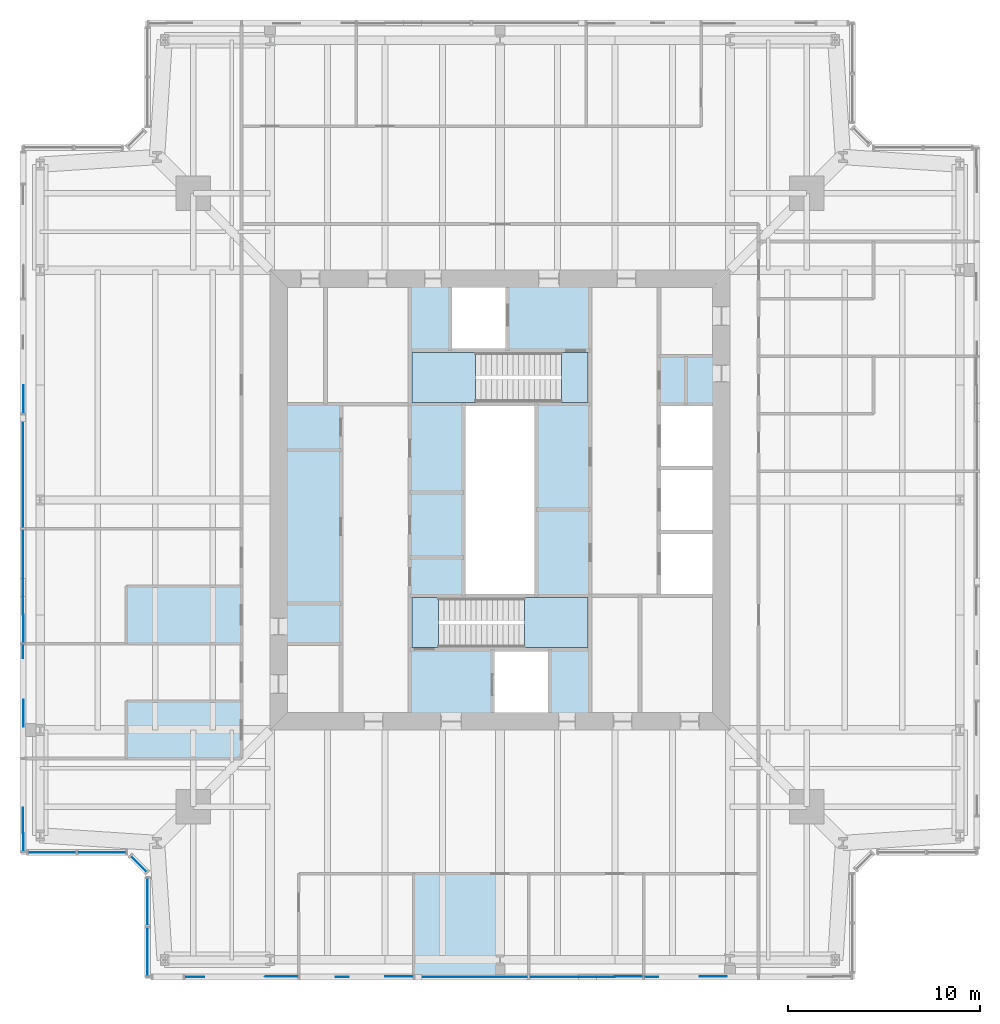
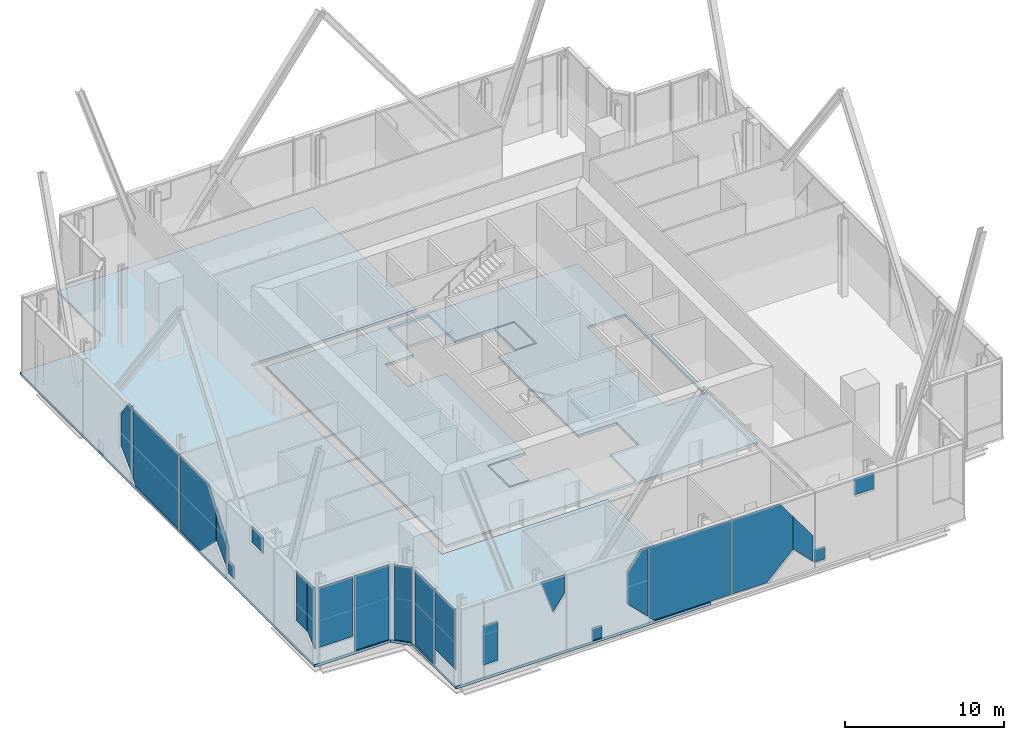
# One storey, part 7 of 20: 22 plates, 6 slabs, 7 elements without a shape of their own.
"""IFC4 building model written with IfcOpenShell, lengths in metres."""

from ifc_helpers import new_model, si_unit, direction, frame, origin, origin_2d, place, context, subcontext, project, spatial, polyline, rectangle, outline, extrude, material, layer, layer_set, type_object, element, aggregate, save


model = new_model("IFC4")

# Units and contexts
model_context = context("Model", 3, precision=1e-05, world=origin(), true_north=direction((0.0, 1.0)))
body_context = subcontext(model_context, "Body", "Model", "MODEL_VIEW")
ifc_project = project(units=[si_unit("LENGTHUNIT", "METRE"), si_unit("AREAUNIT", "SQUARE_METRE"), si_unit("VOLUMEUNIT", "CUBIC_METRE"), si_unit("PLANEANGLEUNIT", "RADIAN"), si_unit("MASSUNIT", "GRAM", prefix="KILO")], contexts=[model_context])

# Site, building, storey
site_placement = place(None, origin())
site = spatial("IfcSite", under=ifc_project, at=site_placement, CompositionType="ELEMENT")
building_placement = place(site_placement, origin())
building = spatial("IfcBuilding", under=site, at=building_placement, Name="Fenwick Lantern Interchange", CompositionType="ELEMENT")
storey_placement = place(building_placement, frame((0.0, 0.0, 239.800048828125)))
storey = spatial("IfcBuildingStorey", under=building, at=storey_placement, Name="L56", CompositionType="ELEMENT", Elevation=239.800048828125)

# Slabs
ifc_material_1 = material(Name="Concrete f'c 35 MPa", Category="concrete")
ifc_layer_1 = layer(ifc_material_1, 0.199951171875)
ifc_layer_set_1 = layer_set([ifc_layer_1], Name="CORE FLOOR SLAB 200")
slab_type_1 = type_object("IfcSlabType", Name="CORE FLOOR SLAB 200", PredefinedType="FLOOR", material=ifc_layer_set_1)
slab_1_placement = place(storey_placement, frame((0.0, 0.0, -0.199951171875)))
element("IfcSlab", 1, at=slab_1_placement, inside=storey, type_object=slab_type_1, Name="L56/SLAB/CORE", PredefinedType="FLOOR", context=body_context, shape_type="SweptSolid", body=[
    extrude(outline(polyline([(13.699951171875, 36.300048828125), (36.300048828125, 36.300048828125), (36.300048828125, 13.699951171875), (13.699951171875, 13.699951171875), (13.699951171875, 36.300048828125)]), holes=[polyline([(24.60009765625, 13.89990234375), (27.60009765625, 13.89990234375), (27.60009765625, 17.199951171875), (29.699951171875, 17.199951171875), (29.699951171875, 20.0), (26.89990234375, 20.0), (26.89990234375, 30.0), (29.699951171875, 30.0), (29.699951171875, 32.800048828125), (25.39990234375, 32.800048828125), (25.39990234375, 36.10009765625), (22.39990234375, 36.10009765625), (22.39990234375, 32.800048828125), (20.300048828125, 32.800048828125), (20.300048828125, 30.0), (23.10009765625, 30.0), (23.10009765625, 20.0), (20.300048828125, 20.0), (20.300048828125, 17.199951171875), (24.60009765625, 17.199951171875), (24.60009765625, 13.89990234375)]), polyline([(33.300048828125, 20.0), (36.10009765625, 20.0), (36.10009765625, 23.333251953125), (36.10009765625, 26.666748046875), (36.10009765625, 30.0), (33.300048828125, 30.0), (33.300048828125, 26.666748046875), (33.300048828125, 23.333251953125), (33.300048828125, 20.0)])]), origin(), (0.0, 0.0, 1.0), 0.199951171875),
])
ifc_material_2 = material(Name="Concrete f'c 35 MPa", Category="concrete")
ifc_layer_2 = layer(ifc_material_2, 0.199951171875)
ifc_layer_set_2 = layer_set([ifc_layer_2], Name="Concrete f'c 35 MPa")
slab_type_2 = type_object("IfcSlabType", Name="FLOOR SLAB 200", PredefinedType="FLOOR", material=ifc_layer_set_2)
slab_2_placement = place(storey_placement, frame((0.0, 0.0, -0.199951171875)))
element("IfcSlab", 2, at=slab_2_placement, inside=storey, type_object=slab_type_2, Name="L56/SLAB/FW", PredefinedType="FLOOR", context=body_context, shape_type="SweptSolid", body=[
    extrude(outline(polyline([(6.5, 0.0), (6.5, 5.5), (5.5, 6.5), (0.0, 6.5), (0.0, 43.5), (5.5, 43.5), (6.5, 44.5), (6.5, 50.0), (25.0, 50.0), (25.0, 37.0), (13.0, 37.0), (13.0, 13.0), (25.0, 13.0), (25.0, 0.0), (6.5, 0.0)])), origin(), (0.0, 0.0, 1.0), 0.199951171875),
])

# Curtain wall, plates
ifc_material_3 = material(Name="Aluminium curtain wall frame", Category="aluminium")
curtain_wall_type = type_object("IfcCurtainWallType", Name="SKY LOBBY GLAZING", PredefinedType="USERDEFINED", material=ifc_material_3)
curtain_wall_1_placement = place(storey_placement, origin())
curtain_wall_1 = element("IfcCurtainWall", 3, at=curtain_wall_1_placement, inside=storey, type_object=curtain_wall_type, Name="Sky lobby glazing 01", ObjectType="SKY LOBBY GLAZING", PredefinedType="USERDEFINED")
ifc_material_4 = material(Name="Vision glass, clear laminated double glazed", Category="glass")
ifc_layer_3 = layer(ifc_material_4, 0.035888671875)
ifc_layer_set_3 = layer_set([ifc_layer_3], Name="SKY LOBBY GLAZING PANEL 36")
plate_type = type_object("IfcPlateType", Name="SKY LOBBY GLAZING PANEL 36", PredefinedType="CURTAIN_PANEL", material=ifc_layer_set_3)
plate_1_placement = place(storey_placement, frame((6.60009765625, 0.10009765625, 0.879150390625), z_axis=(0.0, 0.0, 1.0), x_axis=(1.0, 0.0, 0.0)))
plate_1 = element("IfcPlate", 4, at=plate_1_placement, type_object=plate_type, Name="L56/CW/01/P01a", PredefinedType="CURTAIN_PANEL", context=body_context, shape_type="SweptSolid", body=[
    extrude(outline(polyline([(1.93994140625, 0.0), (2.955078125, 0.0), (2.955078125, 3.000732421875), (1.93994140625, 3.000732421875), (1.93994140625, 0.0)])), frame((0.0, 0.01806640625, 0.0), z_axis=(0.0, -1.0, 0.0), x_axis=(1.0, 0.0, 0.0)), (0.0, 0.0, 1.0), 0.035888671875),
])
plate_2_placement = place(storey_placement, frame((6.60009765625, 0.10009765625, 3.152587890625), z_axis=(0.0, 0.0, 1.0), x_axis=(1.0, 0.0, 0.0)))
plate_2 = element("IfcPlate", 5, at=plate_2_placement, type_object=plate_type, Name="L56/CW/01/P01b", PredefinedType="CURTAIN_PANEL", context=body_context, shape_type="SweptSolid", body=[
    extrude(outline(polyline([(7.0, 0.0), (7.860107421875, 1.16748046875), (7.860107421875, 2.577392578125), (6.1298828125, 2.577392578125), (7.0, 0.0)])), frame((0.0, 0.05615234375, 0.0), z_axis=(0.0, -1.0, 0.0), x_axis=(1.0, 0.0, 0.0)), (0.0, 0.0, 1.0), 0.035888671875),
])
plate_3_placement = place(storey_placement, frame((6.60009765625, 0.10009765625, 0.0), z_axis=(0.0, 0.0, 1.0), x_axis=(1.0, 0.0, 0.0)))
plate_3 = element("IfcPlate", 6, at=plate_3_placement, type_object=plate_type, Name="L56/CW/01/P02a", PredefinedType="CURTAIN_PANEL", context=body_context, shape_type="SweptSolid", body=[
    extrude(outline(polyline([(9.8291015625, 0.0), (10.50390625, 0.0), (10.50390625, 0.923095703125), (9.8291015625, 0.923095703125), (9.8291015625, 0.0)])), frame((0.0, 0.01806640625, 0.0), z_axis=(0.0, -1.0, 0.0), x_axis=(1.0, 0.0, 0.0)), (0.0, 0.0, 1.0), 0.035888671875),
])
plate_4_placement = place(storey_placement, frame((6.60009765625, 0.10009765625, 0.435546875), z_axis=(0.0, 0.0, 1.0), x_axis=(1.0, 0.0, 0.0)))
plate_4 = element("IfcPlate", 7, at=plate_4_placement, type_object=plate_type, Name="L56/CW/01/P02b", PredefinedType="CURTAIN_PANEL", context=body_context, shape_type="SweptSolid", body=[
    extrude(outline(polyline([(13.860107421875, 0.0), (13.860107421875, 5.29443359375), (13.369873046875, 5.29443359375), (12.39990234375, 3.977783203125), (12.39990234375, 1.4599609375), (13.860107421875, 0.0)])), frame((0.0, 0.05615234375, 0.0), z_axis=(0.0, -1.0, 0.0), x_axis=(1.0, 0.0, 0.0)), (0.0, 0.0, 1.0), 0.035888671875),
])
plate_5_placement = place(storey_placement, frame((6.60009765625, 0.10009765625, 0.0), z_axis=(0.0, 0.0, 1.0), x_axis=(1.0, 0.0, 0.0)))
plate_5 = element("IfcPlate", 8, at=plate_5_placement, type_object=plate_type, Name="L56/CW/01/P03a", PredefinedType="CURTAIN_PANEL", context=body_context, shape_type="SweptSolid", body=[
    extrude(outline(polyline([(14.295654296875, 0.0), (19.860107421875, 0.0), (19.860107421875, 5.72998046875), (13.93994140625, 5.72998046875), (13.93994140625, 0.35546875), (14.295654296875, 0.0)])), frame((0.0, 0.01806640625, 0.0), z_axis=(0.0, -1.0, 0.0), x_axis=(1.0, 0.0, 0.0)), (0.0, 0.0, 1.0), 0.035888671875),
])
plate_6_placement = place(storey_placement, frame((6.60009765625, 0.10009765625, 0.0), z_axis=(0.0, 0.0, 1.0), x_axis=(1.0, 0.0, 0.0)))
plate_6 = element("IfcPlate", 9, at=plate_6_placement, type_object=plate_type, Name="L56/CW/01/P04a", PredefinedType="CURTAIN_PANEL", context=body_context, shape_type="SweptSolid", body=[
    extrude(outline(polyline([(19.93994140625, 0.0), (22.50439453125, 0.0), (24.39990234375, 1.8955078125), (24.39990234375, 4.413330078125), (23.43017578125, 5.72998046875), (19.93994140625, 5.72998046875), (19.93994140625, 0.0)])), frame((0.0, 0.01806640625, 0.0), z_axis=(0.0, -1.0, 0.0), x_axis=(1.0, 0.0, 0.0)), (0.0, 0.0, 1.0), 0.035888671875),
])
plate_7_placement = place(storey_placement, frame((6.60009765625, 0.10009765625, 0.435546875), z_axis=(0.0, 0.0, 1.0), x_axis=(1.0, 0.0, 0.0)))
plate_7 = element("IfcPlate", 10, at=plate_7_placement, type_object=plate_type, Name="L56/CW/01/P04b", PredefinedType="CURTAIN_PANEL", context=body_context, shape_type="SweptSolid", body=[
    extrude(outline(polyline([(25.860107421875, 0.0), (25.860107421875, 1.995849609375), (24.39990234375, 3.977783203125), (24.39990234375, 1.4599609375), (25.860107421875, 0.0)])), frame((0.0, 0.05615234375, 0.0), z_axis=(0.0, -1.0, 0.0), x_axis=(1.0, 0.0, 0.0)), (0.0, 0.0, 1.0), 0.035888671875),
])
plate_8_placement = place(storey_placement, frame((6.60009765625, 0.10009765625, 0.35546875), z_axis=(0.0, 0.0, 1.0), x_axis=(1.0, 0.0, 0.0)))
plate_8 = element("IfcPlate", 11, at=plate_8_placement, type_object=plate_type, Name="L56/CW/01/P05a", PredefinedType="CURTAIN_PANEL", context=body_context, shape_type="SweptSolid", body=[
    extrude(outline(polyline([(25.93994140625, 0.0), (26.6650390625, 0.0), (26.6650390625, 0.98291015625), (25.93994140625, 0.98291015625), (25.93994140625, 0.0)])), frame((0.0, 0.01806640625, 0.0), z_axis=(0.0, -1.0, 0.0), x_axis=(1.0, 0.0, 0.0)), (0.0, 0.0, 1.0), 0.035888671875),
])
plate_9_placement = place(storey_placement, frame((6.60009765625, 0.10009765625, 4.460693359375), z_axis=(0.0, 0.0, 1.0), x_axis=(1.0, 0.0, 0.0)))
plate_9 = element("IfcPlate", 12, at=plate_9_placement, type_object=plate_type, Name="L56/CW/01/P05b", PredefinedType="CURTAIN_PANEL", context=body_context, shape_type="SweptSolid", body=[
    extrude(outline(polyline([(28.83642578125, 0.0), (30.241455078125, 0.0), (30.241455078125, 1.269287109375), (28.83642578125, 1.269287109375), (28.83642578125, 0.0)])), frame((0.0, 0.05615234375, 0.0), z_axis=(0.0, -1.0, 0.0), x_axis=(1.0, 0.0, 0.0)), (0.0, 0.0, 1.0), 0.035888671875),
])
aggregate(curtain_wall_1, [plate_1, plate_2, plate_3, plate_4, plate_5, plate_6, plate_7, plate_8, plate_9])

curtain_wall_2_placement = place(storey_placement, origin())
curtain_wall_2 = element("IfcCurtainWall", 13, at=curtain_wall_2_placement, inside=storey, type_object=curtain_wall_type, Name="Sky lobby glazing 13", ObjectType="SKY LOBBY GLAZING", PredefinedType="USERDEFINED")
plate_10_placement = place(storey_placement, frame((0.10009765625, 43.39990234375, 0.435546875), z_axis=(0.0, 0.0, 1.0), x_axis=(0.0, -1.0, 0.0)))
plate_10 = element("IfcPlate", 14, at=plate_10_placement, type_object=plate_type, Name="L56/CW/13/P02b", PredefinedType="CURTAIN_PANEL", context=body_context, shape_type="SweptSolid", body=[
    extrude(outline(polyline([(13.860107421875, 0.0), (13.860107421875, 5.29443359375), (13.369873046875, 5.29443359375), (12.39990234375, 3.977783203125), (12.39990234375, 1.4599609375), (13.860107421875, 0.0)])), frame((0.0, 0.05615234375, 0.0), z_axis=(0.0, -1.0, 0.0), x_axis=(1.0, 0.0, 0.0)), (0.0, 0.0, 1.0), 0.035888671875),
])
plate_11_placement = place(storey_placement, frame((0.10009765625, 43.39990234375, 0.0), z_axis=(0.0, 0.0, 1.0), x_axis=(0.0, -1.0, 0.0)))
plate_11 = element("IfcPlate", 15, at=plate_11_placement, type_object=plate_type, Name="L56/CW/13/P03a", PredefinedType="CURTAIN_PANEL", context=body_context, shape_type="SweptSolid", body=[
    extrude(outline(polyline([(14.295654296875, 0.0), (19.860107421875, 0.0), (19.860107421875, 5.72998046875), (13.93994140625, 5.72998046875), (13.93994140625, 0.35546875), (14.295654296875, 0.0)])), frame((0.0, 0.01806640625, 0.0), z_axis=(0.0, -1.0, 0.0), x_axis=(1.0, 0.0, 0.0)), (0.0, 0.0, 1.0), 0.035888671875),
])
plate_12_placement = place(storey_placement, frame((0.10009765625, 43.39990234375, 0.0), z_axis=(0.0, 0.0, 1.0), x_axis=(0.0, -1.0, 0.0)))
plate_12 = element("IfcPlate", 16, at=plate_12_placement, type_object=plate_type, Name="L56/CW/13/P04a", PredefinedType="CURTAIN_PANEL", context=body_context, shape_type="SweptSolid", body=[
    extrude(outline(polyline([(19.93994140625, 0.0), (22.50439453125, 0.0), (24.39990234375, 1.8955078125), (24.39990234375, 4.413330078125), (23.43017578125, 5.72998046875), (19.93994140625, 5.72998046875), (19.93994140625, 0.0)])), frame((0.0, 0.01806640625, 0.0), z_axis=(0.0, -1.0, 0.0), x_axis=(1.0, 0.0, 0.0)), (0.0, 0.0, 1.0), 0.035888671875),
])
plate_13_placement = place(storey_placement, frame((0.10009765625, 43.39990234375, 0.435546875), z_axis=(0.0, 0.0, 1.0), x_axis=(0.0, -1.0, 0.0)))
plate_13 = element("IfcPlate", 17, at=plate_13_placement, type_object=plate_type, Name="L56/CW/13/P04b", PredefinedType="CURTAIN_PANEL", context=body_context, shape_type="SweptSolid", body=[
    extrude(outline(polyline([(25.860107421875, 0.0), (25.860107421875, 1.995849609375), (24.39990234375, 3.977783203125), (24.39990234375, 1.4599609375), (25.860107421875, 0.0)])), frame((0.0, 0.05615234375, 0.0), z_axis=(0.0, -1.0, 0.0), x_axis=(1.0, 0.0, 0.0)), (0.0, 0.0, 1.0), 0.035888671875),
])
plate_14_placement = place(storey_placement, frame((0.10009765625, 43.39990234375, 0.35546875), z_axis=(0.0, 0.0, 1.0), x_axis=(0.0, -1.0, 0.0)))
plate_14 = element("IfcPlate", 18, at=plate_14_placement, type_object=plate_type, Name="L56/CW/13/P05a", PredefinedType="CURTAIN_PANEL", context=body_context, shape_type="SweptSolid", body=[
    extrude(outline(polyline([(25.93994140625, 0.0), (26.6650390625, 0.0), (26.6650390625, 0.98291015625), (25.93994140625, 0.98291015625), (25.93994140625, 0.0)])), frame((0.0, 0.01806640625, 0.0), z_axis=(0.0, -1.0, 0.0), x_axis=(1.0, 0.0, 0.0)), (0.0, 0.0, 1.0), 0.035888671875),
])
plate_15_placement = place(storey_placement, frame((0.10009765625, 43.39990234375, 4.460693359375), z_axis=(0.0, 0.0, 1.0), x_axis=(0.0, -1.0, 0.0)))
plate_15 = element("IfcPlate", 19, at=plate_15_placement, type_object=plate_type, Name="L56/CW/13/P05b", PredefinedType="CURTAIN_PANEL", context=body_context, shape_type="SweptSolid", body=[
    extrude(outline(polyline([(28.83642578125, 0.0), (30.241455078125, 0.0), (30.241455078125, 1.269287109375), (28.83642578125, 1.269287109375), (28.83642578125, 0.0)])), frame((0.0, 0.05615234375, 0.0), z_axis=(0.0, -1.0, 0.0), x_axis=(1.0, 0.0, 0.0)), (0.0, 0.0, 1.0), 0.035888671875),
])
plate_16_placement = place(storey_placement, frame((0.10009765625, 43.39990234375, 1.89306640625), z_axis=(0.0, 0.0, 1.0), x_axis=(0.0, -1.0, 0.0)))
plate_16 = element("IfcPlate", 20, at=plate_16_placement, type_object=plate_type, Name="L56/CW/13/P06a", PredefinedType="CURTAIN_PANEL", context=body_context, shape_type="SweptSolid", body=[
    extrude(outline(polyline([(34.47021484375, 0.0), (35.789306640625, 0.0), (35.789306640625, 3.8369140625), (34.47021484375, 3.8369140625), (34.47021484375, 0.0)])), frame((0.0, 0.01806640625, 0.0), z_axis=(0.0, -1.0, 0.0), x_axis=(1.0, 0.0, 0.0)), (0.0, 0.0, 1.0), 0.035888671875),
])
plate_17_placement = place(storey_placement, frame((0.10009765625, 43.39990234375, 1.0400390625), z_axis=(0.0, 0.0, 1.0), x_axis=(0.0, -1.0, 0.0)))
plate_17 = element("IfcPlate", 21, at=plate_17_placement, type_object=plate_type, Name="L56/CW/13/P06b", PredefinedType="CURTAIN_PANEL", context=body_context, shape_type="SweptSolid", body=[
    extrude(outline(polyline([(36.719970703125, 0.0), (36.719970703125, 4.68994140625), (35.789306640625, 4.68994140625), (35.789306640625, 0.85302734375), (36.719970703125, 0.0)])), frame((0.0, 0.05615234375, 0.0), z_axis=(0.0, -1.0, 0.0), x_axis=(1.0, 0.0, 0.0)), (0.0, 0.0, 1.0), 0.035888671875),
])
aggregate(curtain_wall_2, [plate_10, plate_11, plate_12, plate_13, plate_14, plate_15, plate_16, plate_17])

curtain_wall_3_placement = place(storey_placement, origin())
curtain_wall_3 = element("IfcCurtainWall", 22, at=curtain_wall_3_placement, inside=storey, type_object=curtain_wall_type, Name="Sky lobby glazing 14", ObjectType="SKY LOBBY GLAZING", PredefinedType="USERDEFINED")
plate_18_placement = place(storey_placement, frame((0.10009765625, 6.60009765625, 1.14990234375), z_axis=(0.0, 0.0, 1.0), x_axis=(1.0, 0.0, 0.0)))
plate_18 = element("IfcPlate", 23, at=plate_18_placement, type_object=plate_type, Name="L56/CW/14/P00a", PredefinedType="CURTAIN_PANEL", context=body_context, shape_type="SweptSolid", body=[
    extrude(outline(polyline([(0.280029296875, 0.0), (2.699951171875, 0.0), (2.699951171875, 4.580078125), (0.280029296875, 4.580078125), (0.280029296875, 0.0)])), frame((0.0, 0.01806640625, 0.0), z_axis=(0.0, -1.0, 0.0), x_axis=(1.0, 0.0, 0.0)), (0.0, 0.0, 1.0), 0.035888671875),
])
plate_19_placement = place(storey_placement, frame((4.211181640625, 6.60009765625, 0.0), z_axis=(0.0, 0.0, 1.0), x_axis=(1.0, 0.0, 0.0)))
plate_19 = element("IfcPlate", 24, at=plate_19_placement, type_object=plate_type, Name="L56/CW/14/P01", PredefinedType="CURTAIN_PANEL", context=body_context, shape_type="SweptSolid", body=[
    extrude(rectangle(XDim=2.500732421875, YDim=0.035888671875, at=origin_2d()), origin(), (0.0, 0.0, 1.0), 5.72998046875),
])
aggregate(curtain_wall_3, [plate_18, plate_19])

# Curtain wall, plate
curtain_wall_4_placement = place(storey_placement, origin())
curtain_wall_4 = element("IfcCurtainWall", 25, at=curtain_wall_4_placement, inside=storey, type_object=curtain_wall_type, Name="Sky lobby glazing 15", ObjectType="SKY LOBBY GLAZING", PredefinedType="USERDEFINED")
plate_20_placement = place(storey_placement, frame((6.141357421875, 6.0, 0.0), z_axis=(0.0, 0.0, 1.0), x_axis=(0.707106781187, -0.707106781187, 0.0)))
plate_20 = element("IfcPlate", 26, at=plate_20_placement, type_object=plate_type, Name="L56/CW/15/P00", PredefinedType="CURTAIN_PANEL", context=body_context, shape_type="SweptSolid", body=[
    extrude(rectangle(XDim=1.136962890625, YDim=0.035888671875, at=origin_2d()), origin(), (0.0, 0.0, 1.0), 5.72998046875),
])
aggregate(curtain_wall_4, [plate_20])

# Curtain wall, plates
curtain_wall_5_placement = place(storey_placement, origin())
curtain_wall_5 = element("IfcCurtainWall", 27, at=curtain_wall_5_placement, inside=storey, type_object=curtain_wall_type, Name="Sky lobby glazing 16", ObjectType="SKY LOBBY GLAZING", PredefinedType="USERDEFINED")
plate_21_placement = place(storey_placement, frame((6.60009765625, 5.54150390625, 0.0), z_axis=(0.0, 0.0, 1.0), x_axis=(0.0, -1.0, 0.0)))
plate_21 = element("IfcPlate", 28, at=plate_21_placement, type_object=plate_type, Name="L56/CW/16/P00a", PredefinedType="CURTAIN_PANEL", context=body_context, shape_type="SweptSolid", body=[
    extrude(outline(polyline([(0.280029296875, 0.0), (2.741455078125, 0.0), (2.741455078125, 5.72998046875), (0.280029296875, 5.72998046875), (0.280029296875, 0.0)])), frame((0.0, 0.01806640625, 0.0), z_axis=(0.0, -1.0, 0.0), x_axis=(1.0, 0.0, 0.0)), (0.0, 0.0, 1.0), 0.035888671875),
])
plate_22_placement = place(storey_placement, frame((6.60009765625, 5.54150390625, 1.14990234375), z_axis=(0.0, 0.0, 1.0), x_axis=(0.0, -1.0, 0.0)))
plate_22 = element("IfcPlate", 29, at=plate_22_placement, type_object=plate_type, Name="L56/CW/16/P01a", PredefinedType="CURTAIN_PANEL", context=body_context, shape_type="SweptSolid", body=[
    extrude(outline(polyline([(2.860595703125, 0.0), (5.361328125, 0.0), (5.361328125, 4.580078125), (2.860595703125, 4.580078125), (2.860595703125, 0.0)])), frame((0.0, 0.01806640625, 0.0), z_axis=(0.0, -1.0, 0.0), x_axis=(1.0, 0.0, 0.0)), (0.0, 0.0, 1.0), 0.035888671875),
])
aggregate(curtain_wall_5, [plate_21, plate_22])

# Stair, slabs
ifc_material_5 = material(Name="Precast concrete f'c 35 MPa", Category="concrete")
stair_type = type_object("IfcStairType", Name="EXIT STAIR 1200", PredefinedType="HALF_TURN_STAIR", material=ifc_material_5)
stair_1_placement = place(storey_placement, origin())
stair_1 = element("IfcStair", 30, at=stair_1_placement, inside=storey, type_object=stair_type, Name="Exit stair ST1", PredefinedType="HALF_TURN_STAIR")
ifc_layer_4 = layer(ifc_material_1, 0.199951171875)
ifc_layer_set_4 = layer_set([ifc_layer_4], Name="STAIR LANDING 200")
slab_type_3 = type_object("IfcSlabType", Name="STAIR LANDING 200", PredefinedType="LANDING", material=ifc_layer_set_4)
slab_3_placement = place(storey_placement, frame((0.0, 0.0, 2.800048828125)))
slab_3 = element("IfcSlab", 31, at=slab_3_placement, type_object=slab_type_3, Name="ST1 landing 1", PredefinedType="LANDING", context=body_context, shape_type="SweptSolid", body=[
    extrude(outline(polyline([(26.280029296875, 17.300048828125), (29.60009765625, 17.300048828125), (29.60009765625, 19.89990234375), (26.280029296875, 19.89990234375), (26.280029296875, 17.300048828125)])), origin(), (0.0, 0.0, 1.0), 0.199951171875),
])
slab_4_placement = place(storey_placement, frame((0.0, 0.0, -0.199951171875)))
slab_4 = element("IfcSlab", 32, at=slab_4_placement, type_object=slab_type_3, Name="ST1 landing 2", PredefinedType="LANDING", context=body_context, shape_type="SweptSolid", body=[
    extrude(outline(polyline([(20.39990234375, 17.300048828125), (21.800048828125, 17.300048828125), (21.800048828125, 19.89990234375), (20.39990234375, 19.89990234375), (20.39990234375, 17.300048828125)])), origin(), (0.0, 0.0, 1.0), 0.199951171875),
])
aggregate(stair_1, [slab_3, slab_4])

stair_2_placement = place(storey_placement, origin())
stair_2 = element("IfcStair", 33, at=stair_2_placement, inside=storey, type_object=stair_type, Name="Exit stair ST2", PredefinedType="HALF_TURN_STAIR")
slab_5_placement = place(storey_placement, frame((0.0, 0.0, 2.800048828125)))
slab_5 = element("IfcSlab", 34, at=slab_5_placement, type_object=slab_type_3, Name="ST2 landing 1", PredefinedType="LANDING", context=body_context, shape_type="SweptSolid", body=[
    extrude(outline(polyline([(23.719970703125, 32.699951171875), (20.39990234375, 32.699951171875), (20.39990234375, 30.10009765625), (23.719970703125, 30.10009765625), (23.719970703125, 32.699951171875)])), origin(), (0.0, 0.0, 1.0), 0.199951171875),
])
slab_6_placement = place(storey_placement, frame((0.0, 0.0, -0.199951171875)))
slab_6 = element("IfcSlab", 35, at=slab_6_placement, type_object=slab_type_3, Name="ST2 landing 2", PredefinedType="LANDING", context=body_context, shape_type="SweptSolid", body=[
    extrude(outline(polyline([(29.60009765625, 32.699951171875), (28.199951171875, 32.699951171875), (28.199951171875, 30.10009765625), (29.60009765625, 30.10009765625), (29.60009765625, 32.699951171875)])), origin(), (0.0, 0.0, 1.0), 0.199951171875),
])
aggregate(stair_2, [slab_5, slab_6])

save(model, "model.ifc")
